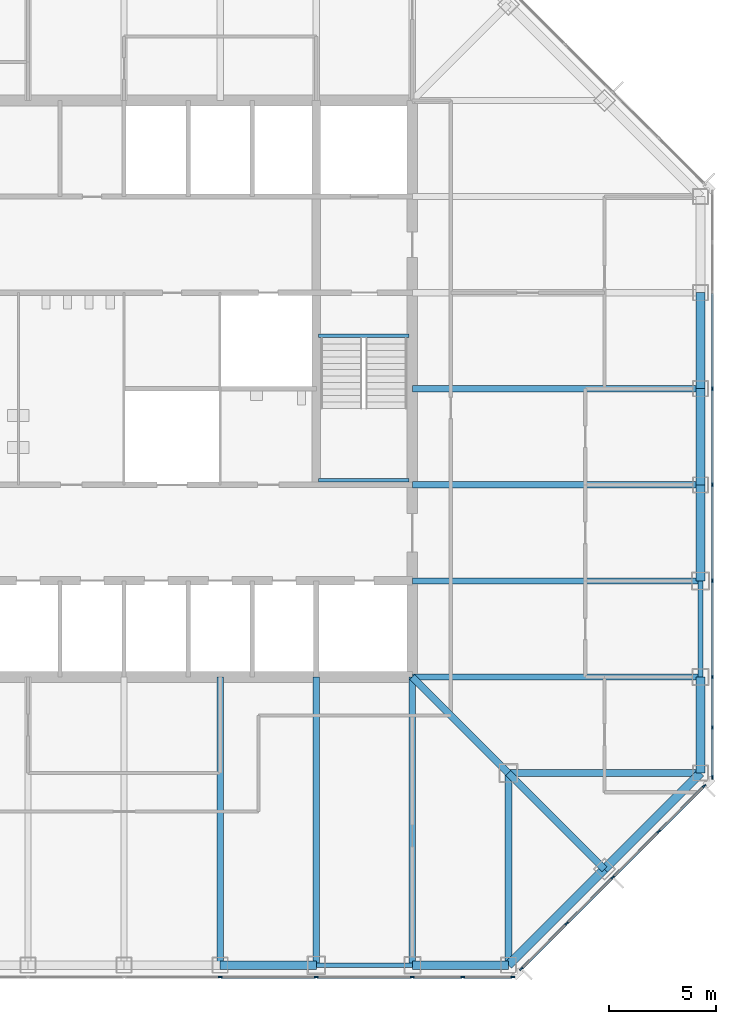
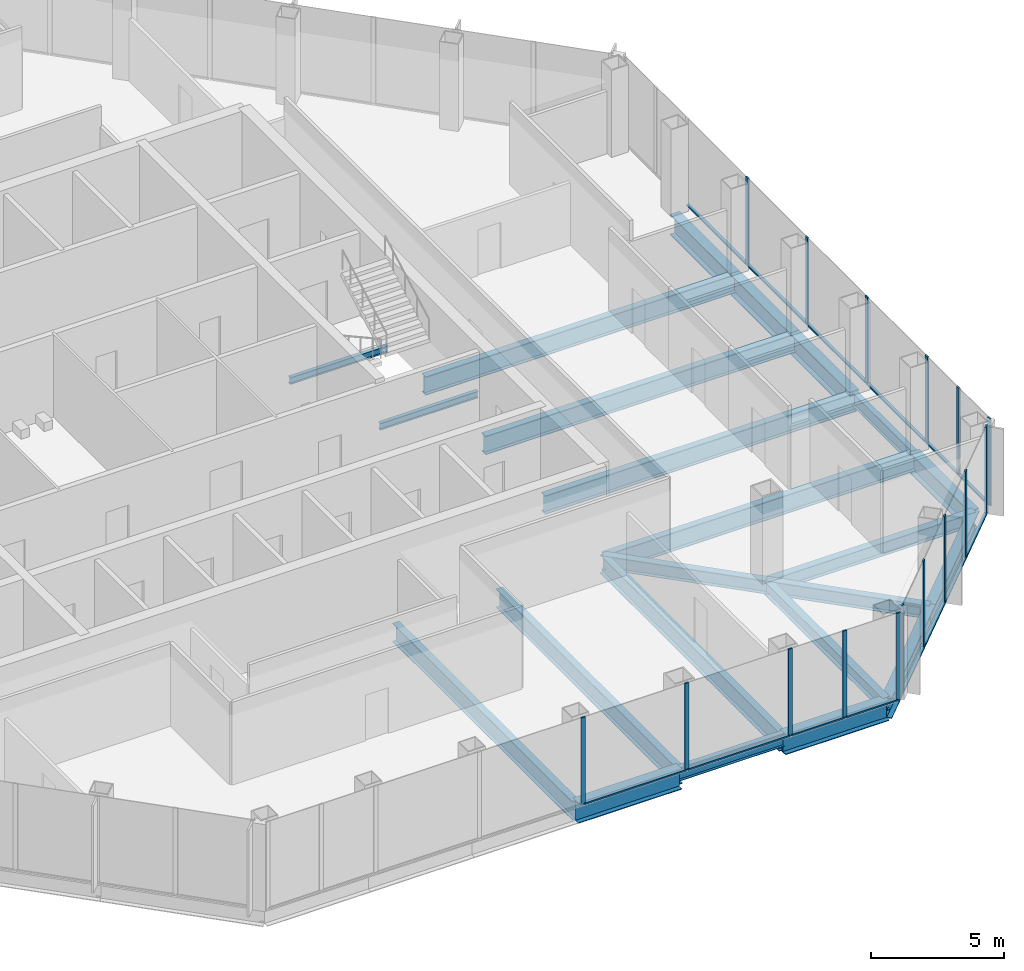
# One storey, part 4 of 13: 30 members, 23 beams, 3 elements without a shape of their own.
"""IFC4 building model written with IfcOpenShell, lengths in metres."""

import ifcopenshell
import ifcopenshell.guid

model = None  # the IFC model being written
_history = None  # IfcOwnerHistory: only IFC2X3 demands one
_inside = {}  # id of a spatial element -> (the spatial element, [elements in it])
_under = {}  # id of a project, library or spatial element -> (it, [spatial elements below it])
_declared = {}  # id of a project -> (the project, [libraries it declares])
_typed = {}  # id of a type object -> (the type object, [elements of that type])
_made_of = {}  # id of a material, layer set ... -> (it, [elements and type objects made of it])


def new_model(schema):
    """Start an empty IFC model of exactly this schema.

    Asked for "IFC4X3", IfcOpenShell would pick the latest addendum, in which some entities
    have other attributes; the version numbers below select the first issue.
    IFC2X3 requires an IfcOwnerHistory on every rooted entity: one is made here for all.
    """
    global model, _history
    if schema == "IFC4X3":
        model = ifcopenshell.file(schema_version=(4, 3, 0, 0))
    else:
        model = ifcopenshell.file(schema=schema)
    _inside.clear()
    _under.clear()
    _declared.clear()
    _typed.clear()
    _made_of.clear()
    _history = None
    if model.schema == "IFC2X3":
        org = make("IfcOrganization", Name="unknown")
        user = make(
            "IfcPersonAndOrganization",
            ThePerson=make("IfcPerson", FamilyName="unknown"),
            TheOrganization=org,
        )
        app = make(
            "IfcApplication",
            ApplicationDeveloper=org,
            Version="unknown",
            ApplicationFullName="unknown",
            ApplicationIdentifier="unknown",
        )
        _history = make(
            "IfcOwnerHistory",
            OwningUser=user,
            OwningApplication=app,
            ChangeAction="ADDED",
            CreationDate=0,
        )
    return model


def make(cls, **values):
    """One entity of the class cls with the attributes given. An attribute that is None is left unset."""
    return model.create_entity(
        cls, **{name: value for name, value in values.items() if value is not None}
    )


def rooted(cls, **values):
    """An entity with a GlobalId (a new one), such as an element, a storey or a relation."""
    return make(cls, GlobalId=ifcopenshell.guid.new(), OwnerHistory=_history, **values)


def si_unit(unit_type, name, prefix=None):
    """IfcSIUnit, for example si_unit("LENGTHUNIT", "METRE", prefix="MILLI")."""
    return make("IfcSIUnit", UnitType=unit_type, Prefix=prefix, Name=name)


def assignment(units):
    """IfcUnitAssignment: the units of a project."""
    return None if units is None else make("IfcUnitAssignment", Units=units)


def point(xyz):
    """IfcCartesianPoint."""
    return None if xyz is None else make("IfcCartesianPoint", Coordinates=xyz)


def direction(xyz):
    """IfcDirection."""
    return None if xyz is None else make("IfcDirection", DirectionRatios=xyz)


def frame(location, z_axis=None, x_axis=None):
    """IfcAxis2Placement3D, a coordinate frame: its origin and axes. An axis left out is left unset."""
    return make(
        "IfcAxis2Placement3D",
        Location=point(location),
        Axis=direction(z_axis),
        RefDirection=direction(x_axis),
    )


def frame_2d(location, x_axis=None):
    """IfcAxis2Placement2D, a coordinate frame in the plane: its origin and x axis."""
    return make(
        "IfcAxis2Placement2D", Location=point(location), RefDirection=direction(x_axis)
    )


def origin():
    """The frame at (0, 0, 0) with its axes left unset."""
    return frame((0.0, 0.0, 0.0))


def origin_2d():
    """The frame at (0, 0) in the plane with its x axis left unset."""
    return frame_2d((0.0, 0.0))


def place(relative_to, where):
    """IfcLocalPlacement: puts the frame where relative to a parent placement (None: the world)."""
    return make(
        "IfcLocalPlacement", PlacementRelTo=relative_to, RelativePlacement=where
    )


def context(
    kind, dimensions, precision=None, world=None, true_north=None, identifier=None
):
    """IfcGeometricRepresentationContext, for example the 3D "Model" context."""
    return make(
        "IfcGeometricRepresentationContext",
        ContextIdentifier=identifier,
        ContextType=kind,
        CoordinateSpaceDimension=dimensions,
        Precision=precision,
        WorldCoordinateSystem=world,
        TrueNorth=true_north,
    )


def subcontext(parent, identifier, kind, view, scale=None):
    """IfcGeometricRepresentationSubContext, for example "Body" below "Model"."""
    return make(
        "IfcGeometricRepresentationSubContext",
        ContextIdentifier=identifier,
        ContextType=kind,
        ParentContext=parent,
        TargetScale=scale,
        TargetView=view,
    )


def project(units=None, contexts=None):
    """IfcProject with its units and contexts."""
    return rooted(
        "IfcProject",
        Name="project",
        RepresentationContexts=contexts,
        UnitsInContext=assignment(units),
    )


def spatial(cls, under=None, at=None, **own):
    """A site, building, storey or space (cls), placed at a placement, below another one or the project."""
    s = rooted(cls, ObjectPlacement=at, **own)
    if under is not None:
        _under.setdefault(under.id(), (under, []))[1].append(s)
    return s


def profile(cls, at=None, kind="AREA", **sizes):
    """A parametric profile (cls). Its sizes go by their IFC names, for example OverallWidth=200.0."""
    return make(cls, ProfileType=kind, Position=at, **sizes)


def rectangle(**sizes):
    """IfcRectangleProfileDef."""
    return profile("IfcRectangleProfileDef", **sizes)


def i_section(**sizes):
    """IfcIShapeProfileDef."""
    return profile("IfcIShapeProfileDef", **sizes)


def extrude(swept, where, along, depth):
    """IfcExtrudedAreaSolid: the profile swept, set in the frame where, extruded along a direction by depth."""
    return make(
        "IfcExtrudedAreaSolid",
        SweptArea=swept,
        Position=where,
        ExtrudedDirection=direction(along),
        Depth=depth,
    )


def shape(context_of_items, identifier, shape_type, items):
    """IfcShapeRepresentation: the items that make up one representation, for example the "Body"."""
    return make(
        "IfcShapeRepresentation",
        ContextOfItems=context_of_items,
        RepresentationIdentifier=identifier,
        RepresentationType=shape_type,
        Items=items,
    )


def material(Name=None, Category=None):
    """IfcMaterial."""
    return make("IfcMaterial", Name=Name, Category=Category)


def material_profile(
    of_material, cross_section, Name=None, Category=None, Priority=None
):
    """IfcMaterialProfile: a cross section and its material."""
    return make(
        "IfcMaterialProfile",
        Name=Name,
        Material=of_material,
        Profile=cross_section,
        Priority=Priority,
        Category=Category,
    )


def profile_set(profiles, Name=None, composite=None):
    """IfcMaterialProfileSet."""
    return make(
        "IfcMaterialProfileSet",
        Name=Name,
        MaterialProfiles=profiles,
        CompositeProfile=composite,
    )


def made_of(thing, what):
    """Note that an element or type object is made of a material, layer set ...; save() writes the relation."""
    if what is not None:
        _made_of.setdefault(what.id(), (what, []))[1].append(thing)
    return thing


def type_object(cls, material=None, **own):
    """A type object (cls), such as IfcWallType, which elements share."""
    return made_of(rooted(cls, **own), material)


def element(
    cls,
    number,
    at=None,
    inside=None,
    cuts=None,
    type_object=None,
    material=None,
    context=None,
    identifier="Body",
    shape_type=None,
    held_by="IfcProductDefinitionShape",
    body=None,
    shapes=None,
    **own,
):
    """One element of the class cls, such as IfcWall. Its Tag is "e" and its number.

    at: its placement. inside: the storey or other place that contains it. cuts: it is an
    opening in that element (IfcRelVoidsElement). A single representation is given by context,
    identifier, shape_type and body (its items); several are given by shapes. held_by: the class
    of the entity that holds the representations. save() writes the other relations.
    """
    e = rooted(cls, Tag="e%d" % number, ObjectPlacement=at, **own)
    if body is not None:
        shapes = [shape(context, identifier, shape_type, body)]
    if shapes is not None:
        e.Representation = make(held_by, Representations=shapes)
    if inside is not None:
        _inside.setdefault(inside.id(), (inside, []))[1].append(e)
    if cuts is not None:
        rooted(
            "IfcRelVoidsElement", RelatingBuildingElement=cuts, RelatedOpeningElement=e
        )
    if type_object is not None:
        _typed.setdefault(type_object.id(), (type_object, []))[1].append(e)
    return made_of(e, material)


def aggregate(whole, parts):
    """IfcRelAggregates: a whole, such as a stair, and the parts it consists of."""
    return rooted("IfcRelAggregates", RelatingObject=whole, RelatedObjects=parts)


def save(model, path):
    """Write the relations noted so far, then the file.

    IfcRelAggregates (storeys below a building ...), IfcRelContainedInSpatialStructure (elements
    in a storey), IfcRelDefinesByType, IfcRelAssociatesMaterial and IfcRelDeclares: one each for
    every whole, place, type object, material and project.
    """
    for whole, parts in _under.values():
        aggregate(whole, parts)
    for where, things in _inside.values():
        rooted(
            "IfcRelContainedInSpatialStructure",
            RelatedElements=things,
            RelatingStructure=where,
        )
    for kind, things in _typed.values():
        rooted("IfcRelDefinesByType", RelatedObjects=things, RelatingType=kind)
    for what, things in _made_of.values():
        rooted("IfcRelAssociatesMaterial", RelatedObjects=things, RelatingMaterial=what)
    for by, libraries in _declared.values():
        rooted("IfcRelDeclares", RelatingContext=by, RelatedDefinitions=libraries)
    model.write(path)


model = new_model("IFC4")

# Units and contexts
model_context = context("Model", 3, precision=1e-05, world=origin(), true_north=direction((0.0, 1.0)))
body_context = subcontext(model_context, "Body", "Model", "MODEL_VIEW")
ifc_project = project(units=[si_unit("LENGTHUNIT", "METRE"), si_unit("AREAUNIT", "SQUARE_METRE"), si_unit("VOLUMEUNIT", "CUBIC_METRE"), si_unit("PLANEANGLEUNIT", "RADIAN"), si_unit("MASSUNIT", "GRAM", prefix="KILO")], contexts=[model_context])

# Site, building, storey
site_placement = place(None, origin())
site = spatial("IfcSite", under=ifc_project, at=site_placement, CompositionType="ELEMENT")
building_placement = place(site_placement, origin())
building = spatial("IfcBuilding", under=site, at=building_placement, Name="Corais Broadcast Tower", CompositionType="ELEMENT")
storey_placement = place(building_placement, frame((0.0, 0.0, 195.60009765625)))
storey = spatial("IfcBuildingStorey", under=building, at=storey_placement, Name="L45", CompositionType="ELEMENT", Elevation=195.60009765625)

# Beams
ifc_material_1 = material(Name="Steel ASTM A572 Grade 50", Category="steel")
ifc_material_profile_1 = material_profile(ifc_material_1, i_section(OverallWidth=0.323974609375, OverallDepth=0.611083984375, WebThickness=0.0126953125, FlangeThickness=0.01904296875, at=origin_2d()), Name="W610x155")
ifc_profile_set_1 = profile_set([ifc_material_profile_1], Name="Steel ASTM A572 Grade 50")
beam_type_1 = type_object("IfcBeamType", Name="Chamfer tie W610x155", PredefinedType="BEAM", material=ifc_profile_set_1)
beam_1_placement = place(storey_placement, frame((49.5, 4.5, -0.465576171875), z_axis=(-0.707106781187, 0.707106781187, 0.0), x_axis=(-0.707106781187, -0.707106781187, 0.0)))
element("IfcBeam", 1, at=beam_1_placement, inside=storey, type_object=beam_type_1, Name="B5 B/14 to C/13", PredefinedType="BEAM", context=body_context, shape_type="SweptSolid", body=[
    extrude(i_section(OverallWidth=0.323974609375, OverallDepth=0.611083984375, WebThickness=0.0126953125, FlangeThickness=0.01904296875, at=origin_2d()), origin(), (0.0, 0.0, 1.0), 6.364013671875),
])
ifc_material_2 = material(Name="Steel ASTM A572 Grade 50", Category="steel")
ifc_material_profile_2 = material_profile(ifc_material_2, i_section(OverallWidth=0.323974609375, OverallDepth=0.611083984375, WebThickness=0.0126953125, FlangeThickness=0.01904296875, at=origin_2d()), Name="W610x155")
ifc_profile_set_2 = profile_set([ifc_material_profile_2], Name="Steel ASTM A572 Grade 50")
beam_type_2 = type_object("IfcBeamType", Name="Corner diagonal W610x155", PredefinedType="BEAM", material=ifc_profile_set_2)
beam_2_placement = place(storey_placement, frame((45.0, 9.0, -0.465576171875), z_axis=(-0.707106781187, 0.707106781187, 0.0), x_axis=(-0.707106781187, -0.707106781187, 0.0)))
element("IfcBeam", 2, at=beam_2_placement, inside=storey, type_object=beam_type_2, Name="B6 C/13 to D/12", PredefinedType="BEAM", context=body_context, shape_type="SweptSolid", body=[
    extrude(i_section(OverallWidth=0.323974609375, OverallDepth=0.611083984375, WebThickness=0.0126953125, FlangeThickness=0.01904296875, at=origin_2d()), origin(), (0.0, 0.0, 1.0), 6.364013671875),
])
ifc_material_3 = material(Name="Steel ASTM A572 Grade 50", Category="steel")
ifc_material_profile_3 = material_profile(ifc_material_3, i_section(OverallWidth=0.323974609375, OverallDepth=0.611083984375, WebThickness=0.0126953125, FlangeThickness=0.01904296875, at=origin_2d()), Name="W610x155")
ifc_profile_set_3 = profile_set([ifc_material_profile_3], Name="Steel ASTM A572 Grade 50")
beam_type_3 = type_object("IfcBeamType", Name="Corner girder W610x155", PredefinedType="BEAM", material=ifc_profile_set_3)
for number, where, z_axis, x_axis, name in (
    (3, (45.0, 0.0, -0.465576171875), (0.0, 1.0, 0.0), (-1.0, 0.0, 0.0), "B4 A/13 to C/13"),
    (4, (54.0, 9.0, -0.465576171875), (-1.0, 0.0, 0.0), (0.0, -1.0, 0.0), "B4 C/15 to C/13"),
):
    element("IfcBeam", number, at=place(storey_placement, frame(where, z_axis=z_axis, x_axis=x_axis)), inside=storey, type_object=beam_type_3, Name=name, PredefinedType="BEAM", context=body_context, shape_type="SweptSolid", body=[
        extrude(i_section(OverallWidth=0.323974609375, OverallDepth=0.611083984375, WebThickness=0.0126953125, FlangeThickness=0.01904296875, at=origin_2d()), origin(), (0.0, 0.0, 1.0), 9.0),
    ])
ifc_material_4 = material(Name="Steel ASTM A572 Grade 50", Category="steel")
ifc_material_profile_4 = material_profile(ifc_material_4, i_section(OverallWidth=0.2939453125, OverallDepth=0.85107421875, WebThickness=0.01611328125, FlangeThickness=0.02685546875, at=origin_2d()), Name="W840x226")
ifc_profile_set_4 = profile_set([ifc_material_profile_4], Name="Steel ASTM A572 Grade 50")
beam_type_4 = type_object("IfcBeamType", Name="Floor beam W840x226", PredefinedType="BEAM", material=ifc_profile_set_4)
for number, where, z_axis, x_axis, name in (
    (5, (31.5, 0.0, -0.585693359375), (0.0, 1.0, 0.0), (-1.0, 0.0, 0.0), "B1 A/10 to D/10"),
    (6, (36.0, 0.0, -0.585693359375), (0.0, 1.0, 0.0), (-1.0, 0.0, 0.0), "B1 A/11 to D/11"),
    (7, (40.5, 0.0, -0.585693359375), (0.0, 1.0, 0.0), (-1.0, 0.0, 0.0), "B1 A/12 to D/12"),
    (8, (54.0, 13.5, -0.585693359375), (-1.0, 0.0, 0.0), (0.0, -1.0, 0.0), "B1 D/15 to D/12"),
    (9, (54.0, 18.0, -0.585693359375), (-1.0, 0.0, 0.0), (0.0, -1.0, 0.0), "B1 E/15 to E/12"),
    (10, (54.0, 22.5, -0.585693359375), (-1.0, 0.0, 0.0), (0.0, -1.0, 0.0), "B1 F/15 to F/12"),
    (11, (54.0, 27.0, -0.585693359375), (-1.0, 0.0, 0.0), (0.0, -1.0, 0.0), "B1 G/15 to G/12"),
):
    element("IfcBeam", number, at=place(storey_placement, frame(where, z_axis=z_axis, x_axis=x_axis)), inside=storey, type_object=beam_type_4, Name=name, PredefinedType="BEAM", context=body_context, shape_type="SweptSolid", body=[
        extrude(i_section(OverallWidth=0.2939453125, OverallDepth=0.85107421875, WebThickness=0.01611328125, FlangeThickness=0.02685546875, at=origin_2d()), origin(), (0.0, 0.0, 1.0), 13.5),
    ])
ifc_material_5 = material(Name="Steel ASTM A572 Grade 50", Category="steel")
ifc_material_profile_5 = material_profile(ifc_material_5, i_section(OverallWidth=0.1650390625, OverallDepth=0.31005859375, WebThickness=0.005859375, FlangeThickness=0.009765625, at=origin_2d()), Name="W310x38.7")
ifc_profile_set_5 = profile_set([ifc_material_profile_5], Name="Steel ASTM A572 Grade 50")
beam_type_5 = type_object("IfcBeamType", Name="Landing trimmer W310x38.7", PredefinedType="BEAM", material=ifc_profile_set_5)
for number, where, z_axis, x_axis, name in (
    (12, (36.10009765625, 29.47509765625, -0.35498046875), (1.0, 0.0, 0.0), (0.0, 1.0, 0.0), "LT1 stair B landing trimmer L45"),
    (13, (36.10009765625, 22.715087890625, 1.64501953125), (1.0, 0.0, 0.0), (0.0, 1.0, 0.0), "LT1 stair B half landing trimmer L45"),
):
    element("IfcBeam", number, at=place(storey_placement, frame(where, z_axis=z_axis, x_axis=x_axis)), inside=storey, type_object=beam_type_5, Name=name, PredefinedType="BEAM", context=body_context, shape_type="SweptSolid", body=[
        extrude(i_section(OverallWidth=0.1650390625, OverallDepth=0.31005859375, WebThickness=0.005859375, FlangeThickness=0.009765625, at=origin_2d()), origin(), (0.0, 0.0, 1.0), 4.25),
    ])

# Curtain wall, members
ifc_material_6 = material(Name="Aluminium and glass", Category="aluminium")
curtain_wall_type = type_object("IfcCurtainWallType", Name="Unitised fritted curtain wall CW2", PredefinedType="NOTDEFINED", material=ifc_material_6)
curtain_wall_1_placement = place(storey_placement, origin())
curtain_wall_1 = element("IfcCurtainWall", 14, at=curtain_wall_1_placement, inside=storey, type_object=curtain_wall_type, Name="CW2 curtain wall L45 6", PredefinedType="NOTDEFINED")
ifc_material_7 = material(Name="Aluminium 6063-T6", Category="aluminium")
ifc_material_profile_6 = material_profile(ifc_material_7, rectangle(XDim=0.06494140625, YDim=0.179931640625, at=origin_2d()), Name="Mullion CW2 65x180")
ifc_profile_set_6 = profile_set([ifc_material_profile_6], Name="Aluminium 6063-T6")
member_type_1 = type_object("IfcMemberType", Name="Mullion CW2 65x180", PredefinedType="MULLION", material=ifc_profile_set_6)
member_1_placement = place(storey_placement, frame((54.550048828125, 27.0, 0.0), z_axis=(0.0, 0.0, 1.0), x_axis=(1.0, 0.0, 0.0)))
member_1 = element("IfcMember", 15, at=member_1_placement, type_object=member_type_1, Name="CW2 mullion 4", PredefinedType="MULLION", context=body_context, shape_type="SweptSolid", body=[
    extrude(rectangle(XDim=0.06494140625, YDim=0.179931640625, at=origin_2d()), origin(), (0.0, 0.0, 1.0), 4.0),
])
member_2_placement = place(storey_placement, frame((54.550048828125, 22.5, 0.0), z_axis=(0.0, 0.0, 1.0), x_axis=(1.0, 0.0, 0.0)))
member_2 = element("IfcMember", 16, at=member_2_placement, type_object=member_type_1, Name="CW2 mullion 5", PredefinedType="MULLION", context=body_context, shape_type="SweptSolid", body=[
    extrude(rectangle(XDim=0.06494140625, YDim=0.179931640625, at=origin_2d()), origin(), (0.0, 0.0, 1.0), 4.0),
])
member_3_placement = place(storey_placement, frame((54.550048828125, 18.0, 0.0), z_axis=(0.0, 0.0, 1.0), x_axis=(1.0, 0.0, 0.0)))
member_3 = element("IfcMember", 17, at=member_3_placement, type_object=member_type_1, Name="CW2 mullion 6", PredefinedType="MULLION", context=body_context, shape_type="SweptSolid", body=[
    extrude(rectangle(XDim=0.06494140625, YDim=0.179931640625, at=origin_2d()), origin(), (0.0, 0.0, 1.0), 4.0),
])
member_4_placement = place(storey_placement, frame((54.550048828125, 13.5, 0.0), z_axis=(0.0, 0.0, 1.0), x_axis=(1.0, 0.0, 0.0)))
member_4 = element("IfcMember", 18, at=member_4_placement, type_object=member_type_1, Name="CW2 mullion 7", PredefinedType="MULLION", context=body_context, shape_type="SweptSolid", body=[
    extrude(rectangle(XDim=0.06494140625, YDim=0.179931640625, at=origin_2d()), origin(), (0.0, 0.0, 1.0), 4.0),
])
member_5_placement = place(storey_placement, frame((54.550048828125, 11.135986328125, 0.0), z_axis=(0.0, 0.0, 1.0), x_axis=(1.0, 0.0, 0.0)))
member_5 = element("IfcMember", 19, at=member_5_placement, type_object=member_type_1, Name="CW2 mullion 8", PredefinedType="MULLION", context=body_context, shape_type="SweptSolid", body=[
    extrude(rectangle(XDim=0.06494140625, YDim=0.179931640625, at=origin_2d()), origin(), (0.0, 0.0, 1.0), 4.0),
])
member_6_placement = place(storey_placement, frame((54.550048828125, 8.8046875, 0.0), z_axis=(0.0, 0.0, 1.0), x_axis=(1.0, 0.0, 0.0)))
member_6 = element("IfcMember", 20, at=member_6_placement, type_object=member_type_1, Name="CW2 mullion 9", PredefinedType="MULLION", context=body_context, shape_type="SweptSolid", body=[
    extrude(rectangle(XDim=0.06494140625, YDim=0.179931640625, at=origin_2d()), origin(), (0.0, 0.0, 1.0), 4.0),
])

curtain_wall_2_placement = place(storey_placement, origin())
curtain_wall_2 = element("IfcCurtainWall", 21, at=curtain_wall_2_placement, inside=storey, type_object=curtain_wall_type, Name="CW2 curtain wall L45 7", PredefinedType="NOTDEFINED")
member_7_placement = place(storey_placement, frame((54.17333984375, 8.3955078125, 0.0), z_axis=(0.0, 0.0, 1.0), x_axis=(0.707106781187, -0.707106781187, 0.0)))
member_7 = element("IfcMember", 22, at=member_7_placement, type_object=member_type_1, Name="CW2 mullion 1", PredefinedType="MULLION", context=body_context, shape_type="SweptSolid", body=[
    extrude(rectangle(XDim=0.06494140625, YDim=0.179931640625, at=origin_2d()), origin(), (0.0, 0.0, 1.0), 4.0),
])
member_8_placement = place(storey_placement, frame((52.042724609375, 6.264892578125, 0.0), z_axis=(0.0, 0.0, 1.0), x_axis=(0.707106781187, -0.707106781187, 0.0)))
member_8 = element("IfcMember", 23, at=member_8_placement, type_object=member_type_1, Name="CW2 mullion 2", PredefinedType="MULLION", context=body_context, shape_type="SweptSolid", body=[
    extrude(rectangle(XDim=0.06494140625, YDim=0.179931640625, at=origin_2d()), origin(), (0.0, 0.0, 1.0), 4.0),
])
member_9_placement = place(storey_placement, frame((49.888916015625, 4.111083984375, 0.0), z_axis=(0.0, 0.0, 1.0), x_axis=(0.707106781187, -0.707106781187, 0.0)))
member_9 = element("IfcMember", 24, at=member_9_placement, type_object=member_type_1, Name="CW2 mullion 3", PredefinedType="MULLION", context=body_context, shape_type="SweptSolid", body=[
    extrude(rectangle(XDim=0.06494140625, YDim=0.179931640625, at=origin_2d()), origin(), (0.0, 0.0, 1.0), 4.0),
])
member_10_placement = place(storey_placement, frame((47.735107421875, 1.957275390625, 0.0), z_axis=(0.0, 0.0, 1.0), x_axis=(0.707106781187, -0.707106781187, 0.0)))
member_10 = element("IfcMember", 25, at=member_10_placement, type_object=member_type_1, Name="CW2 mullion 4", PredefinedType="MULLION", context=body_context, shape_type="SweptSolid", body=[
    extrude(rectangle(XDim=0.06494140625, YDim=0.179931640625, at=origin_2d()), origin(), (0.0, 0.0, 1.0), 4.0),
])
member_11_placement = place(storey_placement, frame((45.6044921875, -0.17333984375, 0.0), z_axis=(0.0, 0.0, 1.0), x_axis=(0.707106781187, -0.707106781187, 0.0)))
member_11 = element("IfcMember", 26, at=member_11_placement, type_object=member_type_1, Name="CW2 mullion 5", PredefinedType="MULLION", context=body_context, shape_type="SweptSolid", body=[
    extrude(rectangle(XDim=0.06494140625, YDim=0.179931640625, at=origin_2d()), origin(), (0.0, 0.0, 1.0), 4.0),
])

curtain_wall_3_placement = place(storey_placement, origin())
curtain_wall_3 = element("IfcCurtainWall", 27, at=curtain_wall_3_placement, inside=storey, type_object=curtain_wall_type, Name="CW2 curtain wall L45 8", PredefinedType="NOTDEFINED")
member_12_placement = place(storey_placement, frame((45.1953125, -0.550048828125, 0.0), z_axis=(0.0, 0.0, 1.0), x_axis=(0.0, -1.0, 0.0)))
member_12 = element("IfcMember", 28, at=member_12_placement, type_object=member_type_1, Name="CW2 mullion 1", PredefinedType="MULLION", context=body_context, shape_type="SweptSolid", body=[
    extrude(rectangle(XDim=0.06494140625, YDim=0.179931640625, at=origin_2d()), origin(), (0.0, 0.0, 1.0), 4.0),
])
member_13_placement = place(storey_placement, frame((42.864013671875, -0.550048828125, 0.0), z_axis=(0.0, 0.0, 1.0), x_axis=(0.0, -1.0, 0.0)))
member_13 = element("IfcMember", 29, at=member_13_placement, type_object=member_type_1, Name="CW2 mullion 2", PredefinedType="MULLION", context=body_context, shape_type="SweptSolid", body=[
    extrude(rectangle(XDim=0.06494140625, YDim=0.179931640625, at=origin_2d()), origin(), (0.0, 0.0, 1.0), 4.0),
])
member_14_placement = place(storey_placement, frame((40.5, -0.550048828125, 0.0), z_axis=(0.0, 0.0, 1.0), x_axis=(0.0, -1.0, 0.0)))
member_14 = element("IfcMember", 30, at=member_14_placement, type_object=member_type_1, Name="CW2 mullion 3", PredefinedType="MULLION", context=body_context, shape_type="SweptSolid", body=[
    extrude(rectangle(XDim=0.06494140625, YDim=0.179931640625, at=origin_2d()), origin(), (0.0, 0.0, 1.0), 4.0),
])
member_15_placement = place(storey_placement, frame((36.0, -0.550048828125, 0.0), z_axis=(0.0, 0.0, 1.0), x_axis=(0.0, -1.0, 0.0)))
member_15 = element("IfcMember", 31, at=member_15_placement, type_object=member_type_1, Name="CW2 mullion 4", PredefinedType="MULLION", context=body_context, shape_type="SweptSolid", body=[
    extrude(rectangle(XDim=0.06494140625, YDim=0.179931640625, at=origin_2d()), origin(), (0.0, 0.0, 1.0), 4.0),
])
member_16_placement = place(storey_placement, frame((31.5, -0.550048828125, 0.0), z_axis=(0.0, 0.0, 1.0), x_axis=(0.0, -1.0, 0.0)))
member_16 = element("IfcMember", 32, at=member_16_placement, type_object=member_type_1, Name="CW2 mullion 5", PredefinedType="MULLION", context=body_context, shape_type="SweptSolid", body=[
    extrude(rectangle(XDim=0.06494140625, YDim=0.179931640625, at=origin_2d()), origin(), (0.0, 0.0, 1.0), 4.0),
])

# Beams
ifc_material_8 = material(Name="Steel ASTM A572 Grade 50", Category="steel")
ifc_material_profile_7 = material_profile(ifc_material_8, i_section(OverallWidth=0.22900390625, OverallDepth=0.612060546875, WebThickness=0.011962890625, FlangeThickness=0.01953125, at=origin_2d()), Name="W610x125")
ifc_profile_set_7 = profile_set([ifc_material_profile_7], Name="Steel ASTM A572 Grade 50")
beam_type_6 = type_object("IfcBeamType", Name="Pinned spandrel W610x125", PredefinedType="BEAM", material=ifc_profile_set_7)
for number, where, z_axis, x_axis, name in (
    (33, (36.0, 0.0, -0.466064453125), (1.0, 0.0, 0.0), (0.0, 1.0, 0.0), "SB7 A/11 to A/12"),
    (34, (54.0, 13.5, -0.466064453125), (0.0, 1.0, 0.0), (-1.0, 0.0, 0.0), "SB7 D/15 to E/15"),
):
    element("IfcBeam", number, at=place(storey_placement, frame(where, z_axis=z_axis, x_axis=x_axis)), inside=storey, type_object=beam_type_6, Name=name, PredefinedType="BEAM", context=body_context, shape_type="SweptSolid", body=[
        extrude(i_section(OverallWidth=0.22900390625, OverallDepth=0.612060546875, WebThickness=0.011962890625, FlangeThickness=0.01953125, at=origin_2d()), origin(), (0.0, 0.0, 1.0), 4.5),
    ])
ifc_material_9 = material(Name="Steel ASTM A572 Grade 50", Category="steel")
ifc_material_profile_8 = material_profile(ifc_material_9, i_section(OverallWidth=0.4189453125, OverallDepth=0.94189453125, WebThickness=0.022216796875, FlangeThickness=0.03662109375, at=origin_2d()), Name="W920x345")
ifc_profile_set_8 = profile_set([ifc_material_profile_8], Name="Steel ASTM A572 Grade 50")
beam_type_7 = type_object("IfcBeamType", Name="Transfer spandrel W920x345", PredefinedType="BEAM", material=ifc_profile_set_8)
for number, where, z_axis, x_axis, name in (
    (35, (31.5, 0.0, -0.631103515625), (1.0, 0.0, 0.0), (0.0, 1.0, 0.0), "SB4 A/10 to A/11"),
    (36, (40.5, 0.0, -0.631103515625), (1.0, 0.0, 0.0), (0.0, 1.0, 0.0), "SB4 A/12 to A/13"),
):
    element("IfcBeam", number, at=place(storey_placement, frame(where, z_axis=z_axis, x_axis=x_axis)), inside=storey, type_object=beam_type_7, Name=name, PredefinedType="BEAM", context=body_context, shape_type="SweptSolid", body=[
        extrude(i_section(OverallWidth=0.4189453125, OverallDepth=0.94189453125, WebThickness=0.022216796875, FlangeThickness=0.03662109375, at=origin_2d()), origin(), (0.0, 0.0, 1.0), 4.5),
    ])
for number, where, z_axis, x_axis, name in (
    (37, (45.0, 0.0, -0.631103515625), (0.707106781187, 0.707106781187, 0.0), (-0.707106781187, 0.707106781187, 0.0), "SB4 A/13 to B/14"),
    (38, (49.5, 4.5, -0.631103515625), (0.707106781187, 0.707106781187, 0.0), (-0.707106781187, 0.707106781187, 0.0), "SB4 B/14 to C/15"),
):
    element("IfcBeam", number, at=place(storey_placement, frame(where, z_axis=z_axis, x_axis=x_axis)), inside=storey, type_object=beam_type_7, Name=name, PredefinedType="BEAM", context=body_context, shape_type="SweptSolid", body=[
        extrude(i_section(OverallWidth=0.4189453125, OverallDepth=0.94189453125, WebThickness=0.022216796875, FlangeThickness=0.03662109375, at=origin_2d()), origin(), (0.0, 0.0, 1.0), 6.364013671875),
    ])
for number, where, z_axis, x_axis, name in (
    (39, (54.0, 18.0, -0.631103515625), (0.0, 1.0, 0.0), (-1.0, 0.0, 0.0), "SB4 E/15 to F/15"),
    (40, (54.0, 22.5, -0.631103515625), (0.0, 1.0, 0.0), (-1.0, 0.0, 0.0), "SB4 F/15 to G/15"),
    (41, (54.0, 27.0, -0.631103515625), (0.0, 1.0, 0.0), (-1.0, 0.0, 0.0), "SB4 G/15 to H/15"),
    (42, (54.0, 9.0, -0.631103515625), (0.0, 1.0, 0.0), (-1.0, 0.0, 0.0), "SB4 C/15 to D/15"),
):
    element("IfcBeam", number, at=place(storey_placement, frame(where, z_axis=z_axis, x_axis=x_axis)), inside=storey, type_object=beam_type_7, Name=name, PredefinedType="BEAM", context=body_context, shape_type="SweptSolid", body=[
        extrude(i_section(OverallWidth=0.4189453125, OverallDepth=0.94189453125, WebThickness=0.022216796875, FlangeThickness=0.03662109375, at=origin_2d()), origin(), (0.0, 0.0, 1.0), 4.5),
    ])

# Member
ifc_material_10 = material(Name="Aluminium 6063-T6", Category="aluminium")
ifc_material_profile_9 = material_profile(ifc_material_10, rectangle(XDim=0.1298828125, YDim=0.06494140625, at=origin_2d()), Name="Transom CW2 65x130")
ifc_profile_set_9 = profile_set([ifc_material_profile_9], Name="Aluminium 6063-T6")
member_type_2 = type_object("IfcMemberType", Name="Transom CW2 65x130", PredefinedType="USERDEFINED", material=ifc_profile_set_9)
member_17_placement = place(storey_placement, frame((54.550048828125, 31.467529296875, 0.032470703125), z_axis=(0.0, -1.0, 0.0), x_axis=(1.0, 0.0, 0.0)))
member_17 = element("IfcMember", 43, at=member_17_placement, type_object=member_type_2, Name="CW2 transom 3.1", ObjectType="TRANSOM", PredefinedType="USERDEFINED", context=body_context, shape_type="SweptSolid", body=[
    extrude(rectangle(XDim=0.1298828125, YDim=0.06494140625, at=origin_2d()), origin(), (0.0, 0.0, 1.0), 4.43505859375),
])

member_18_placement = place(storey_placement, frame((54.550048828125, 26.967529296875, 0.032470703125), z_axis=(0.0, -1.0, 0.0), x_axis=(1.0, 0.0, 0.0)))
member_18 = element("IfcMember", 44, at=member_18_placement, type_object=member_type_2, Name="CW2 transom 4.1", ObjectType="TRANSOM", PredefinedType="USERDEFINED", context=body_context, shape_type="SweptSolid", body=[
    extrude(rectangle(XDim=0.1298828125, YDim=0.06494140625, at=origin_2d()), origin(), (0.0, 0.0, 1.0), 4.43505859375),
])

member_19_placement = place(storey_placement, frame((54.550048828125, 22.467529296875, 0.032470703125), z_axis=(0.0, -1.0, 0.0), x_axis=(1.0, 0.0, 0.0)))
member_19 = element("IfcMember", 45, at=member_19_placement, type_object=member_type_2, Name="CW2 transom 5.1", ObjectType="TRANSOM", PredefinedType="USERDEFINED", context=body_context, shape_type="SweptSolid", body=[
    extrude(rectangle(XDim=0.1298828125, YDim=0.06494140625, at=origin_2d()), origin(), (0.0, 0.0, 1.0), 4.43505859375),
])

member_20_placement = place(storey_placement, frame((54.550048828125, 17.967529296875, 0.032470703125), z_axis=(0.0, -1.0, 0.0), x_axis=(1.0, 0.0, 0.0)))
member_20 = element("IfcMember", 46, at=member_20_placement, type_object=member_type_2, Name="CW2 transom 6.1", ObjectType="TRANSOM", PredefinedType="USERDEFINED", context=body_context, shape_type="SweptSolid", body=[
    extrude(rectangle(XDim=0.1298828125, YDim=0.06494140625, at=origin_2d()), origin(), (0.0, 0.0, 1.0), 4.43505859375),
])

member_21_placement = place(storey_placement, frame((54.550048828125, 13.467529296875, 0.032470703125), z_axis=(0.0, -1.0, 0.0), x_axis=(1.0, 0.0, 0.0)))
member_21 = element("IfcMember", 47, at=member_21_placement, type_object=member_type_2, Name="CW2 transom 7.1", ObjectType="TRANSOM", PredefinedType="USERDEFINED", context=body_context, shape_type="SweptSolid", body=[
    extrude(rectangle(XDim=0.1298828125, YDim=0.06494140625, at=origin_2d()), origin(), (0.0, 0.0, 1.0), 2.298828125),
])

member_22_placement = place(storey_placement, frame((54.550048828125, 11.103515625, 0.032470703125), z_axis=(0.0, -1.0, 0.0), x_axis=(1.0, 0.0, 0.0)))
member_22 = element("IfcMember", 48, at=member_22_placement, type_object=member_type_2, Name="CW2 transom 8.1", ObjectType="TRANSOM", PredefinedType="USERDEFINED", context=body_context, shape_type="SweptSolid", body=[
    extrude(rectangle(XDim=0.1298828125, YDim=0.06494140625, at=origin_2d()), origin(), (0.0, 0.0, 1.0), 2.266357421875),
])

aggregate(curtain_wall_1, [member_1, member_2, member_3, member_4, member_5, member_6, member_17, member_18, member_19, member_20, member_21, member_22])

member_23_placement = place(storey_placement, frame((54.150390625, 8.37255859375, 0.032470703125), z_axis=(-0.707106781187, -0.707106781187, 0.0), x_axis=(0.707106781187, -0.707106781187, 0.0)))
member_23 = element("IfcMember", 49, at=member_23_placement, type_object=member_type_2, Name="CW2 transom 1.1", ObjectType="TRANSOM", PredefinedType="USERDEFINED", context=body_context, shape_type="SweptSolid", body=[
    extrude(rectangle(XDim=0.1298828125, YDim=0.06494140625, at=origin_2d()), origin(), (0.0, 0.0, 1.0), 2.9482421875),
])

member_24_placement = place(storey_placement, frame((52.019775390625, 6.241943359375, 0.032470703125), z_axis=(-0.707106781187, -0.707106781187, 0.0), x_axis=(0.707106781187, -0.707106781187, 0.0)))
member_24 = element("IfcMember", 50, at=member_24_placement, type_object=member_type_2, Name="CW2 transom 2.1", ObjectType="TRANSOM", PredefinedType="USERDEFINED", context=body_context, shape_type="SweptSolid", body=[
    extrude(rectangle(XDim=0.1298828125, YDim=0.06494140625, at=origin_2d()), origin(), (0.0, 0.0, 1.0), 2.98095703125),
])

member_25_placement = place(storey_placement, frame((49.865966796875, 4.088134765625, 0.032470703125), z_axis=(-0.707106781187, -0.707106781187, 0.0), x_axis=(0.707106781187, -0.707106781187, 0.0)))
member_25 = element("IfcMember", 51, at=member_25_placement, type_object=member_type_2, Name="CW2 transom 3.1", ObjectType="TRANSOM", PredefinedType="USERDEFINED", context=body_context, shape_type="SweptSolid", body=[
    extrude(rectangle(XDim=0.1298828125, YDim=0.06494140625, at=origin_2d()), origin(), (0.0, 0.0, 1.0), 2.98095703125),
])

member_26_placement = place(storey_placement, frame((47.712158203125, 1.934326171875, 0.032470703125), z_axis=(-0.707106781187, -0.707106781187, 0.0), x_axis=(0.707106781187, -0.707106781187, 0.0)))
member_26 = element("IfcMember", 52, at=member_26_placement, type_object=member_type_2, Name="CW2 transom 4.1", ObjectType="TRANSOM", PredefinedType="USERDEFINED", context=body_context, shape_type="SweptSolid", body=[
    extrude(rectangle(XDim=0.1298828125, YDim=0.06494140625, at=origin_2d()), origin(), (0.0, 0.0, 1.0), 2.9482421875),
])

aggregate(curtain_wall_2, [member_7, member_8, member_9, member_10, member_11, member_23, member_24, member_25, member_26])

member_27_placement = place(storey_placement, frame((45.162841796875, -0.550048828125, 0.032470703125), z_axis=(-1.0, 0.0, 0.0), x_axis=(0.0, -1.0, 0.0)))
member_27 = element("IfcMember", 53, at=member_27_placement, type_object=member_type_2, Name="CW2 transom 1.1", ObjectType="TRANSOM", PredefinedType="USERDEFINED", context=body_context, shape_type="SweptSolid", body=[
    extrude(rectangle(XDim=0.1298828125, YDim=0.06494140625, at=origin_2d()), origin(), (0.0, 0.0, 1.0), 2.266357421875),
])

member_28_placement = place(storey_placement, frame((42.831298828125, -0.550048828125, 0.032470703125), z_axis=(-1.0, 0.0, 0.0), x_axis=(0.0, -1.0, 0.0)))
member_28 = element("IfcMember", 54, at=member_28_placement, type_object=member_type_2, Name="CW2 transom 2.1", ObjectType="TRANSOM", PredefinedType="USERDEFINED", context=body_context, shape_type="SweptSolid", body=[
    extrude(rectangle(XDim=0.1298828125, YDim=0.06494140625, at=origin_2d()), origin(), (0.0, 0.0, 1.0), 2.298828125),
])

member_29_placement = place(storey_placement, frame((40.467529296875, -0.550048828125, 0.032470703125), z_axis=(-1.0, 0.0, 0.0), x_axis=(0.0, -1.0, 0.0)))
member_29 = element("IfcMember", 55, at=member_29_placement, type_object=member_type_2, Name="CW2 transom 3.1", ObjectType="TRANSOM", PredefinedType="USERDEFINED", context=body_context, shape_type="SweptSolid", body=[
    extrude(rectangle(XDim=0.1298828125, YDim=0.06494140625, at=origin_2d()), origin(), (0.0, 0.0, 1.0), 4.43505859375),
])

member_30_placement = place(storey_placement, frame((35.967529296875, -0.550048828125, 0.032470703125), z_axis=(-1.0, 0.0, 0.0), x_axis=(0.0, -1.0, 0.0)))
member_30 = element("IfcMember", 56, at=member_30_placement, type_object=member_type_2, Name="CW2 transom 4.1", ObjectType="TRANSOM", PredefinedType="USERDEFINED", context=body_context, shape_type="SweptSolid", body=[
    extrude(rectangle(XDim=0.1298828125, YDim=0.06494140625, at=origin_2d()), origin(), (0.0, 0.0, 1.0), 4.43505859375),
])

aggregate(curtain_wall_3, [member_12, member_13, member_14, member_15, member_16, member_27, member_28, member_29, member_30])

save(model, "model.ifc")
